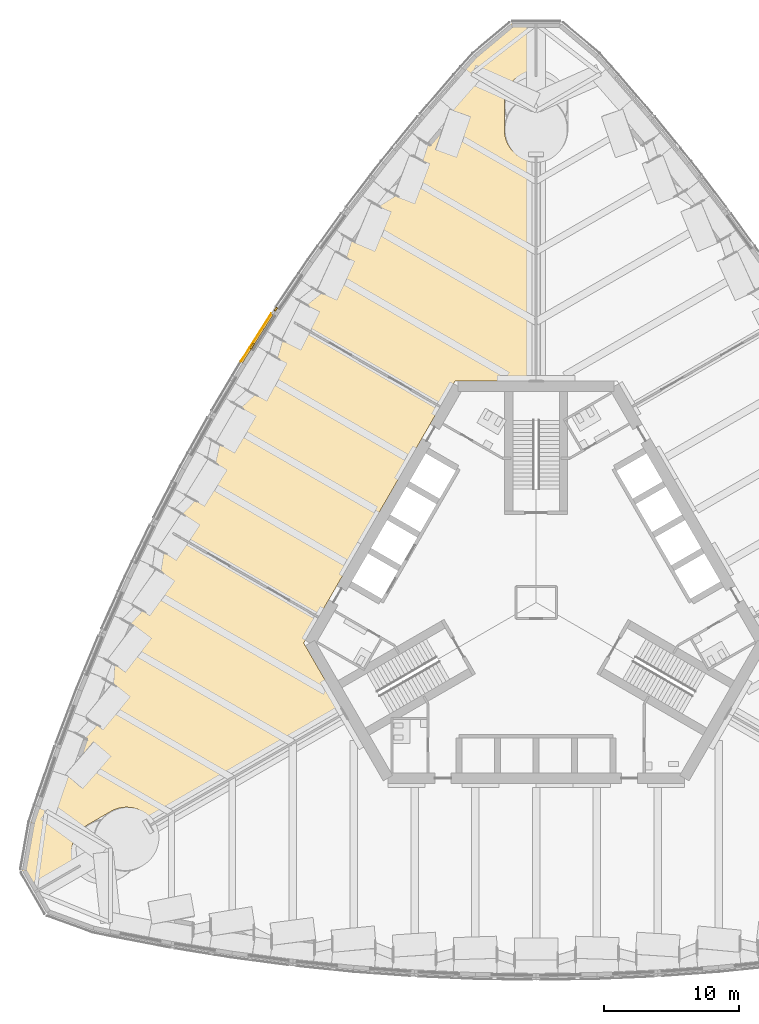
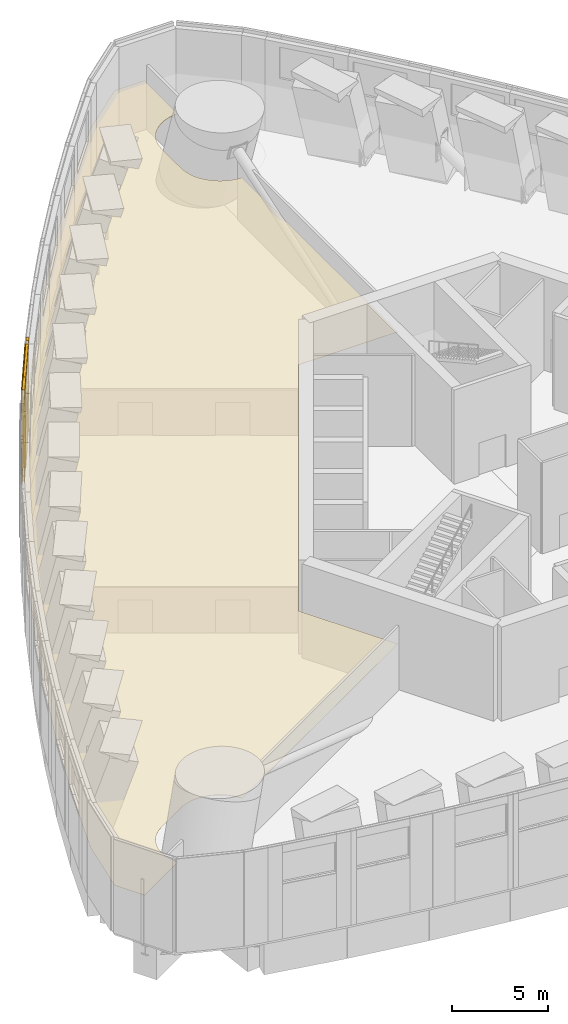
# One storey, part 20 of 28: 10 coverings.
"""IFC4 building model written with IfcOpenShell, lengths in metres."""

from ifc_helpers import new_model, si_unit, direction, frame, origin, origin_2d, place, context, subcontext, project, spatial, polyline, rectangle, outline, extrude, material, layer, layer_set, type_object, element, save


model = new_model("IFC4")

# Units and contexts
model_context = context("Model", 3, precision=1e-05, world=origin(), true_north=direction((0.0, 1.0)))
body_context = subcontext(model_context, "Body", "Model", "MODEL_VIEW")
ifc_project = project(units=[si_unit("LENGTHUNIT", "METRE"), si_unit("AREAUNIT", "SQUARE_METRE"), si_unit("VOLUMEUNIT", "CUBIC_METRE"), si_unit("PLANEANGLEUNIT", "RADIAN"), si_unit("MASSUNIT", "GRAM", prefix="KILO")], contexts=[model_context])

# Site, building, storey
site_placement = place(None, origin())
site = spatial("IfcSite", under=ifc_project, at=site_placement, CompositionType="ELEMENT")
building_placement = place(site_placement, origin())
building = spatial("IfcBuilding", under=site, at=building_placement, Name="Trefoil Bronze Tower", CompositionType="ELEMENT")
storey_placement = place(building_placement, frame((0.0, 0.0, 92.10009765625)))
storey = spatial("IfcBuildingStorey", under=building, at=storey_placement, Name="L21", CompositionType="ELEMENT", Elevation=92.10009765625)

# Coverings
ifc_material_1 = material(Name="Bronze-finish aluminium rainscreen panel on aluminium rails", Category="aluminium")
ifc_layer_1 = layer(ifc_material_1, 0.0400390625)
ifc_layer_set_1 = layer_set([ifc_layer_1], Name="Bronze cladding panel 40")
covering_type_1 = type_object("IfcCoveringType", Name="Bronze cladding panel 40", PredefinedType="CLADDING", material=ifc_layer_set_1)
covering_1_placement = place(storey_placement, frame((-21.541015625, 18.343505859375, 0.0), z_axis=(0.0, 0.0, 1.0), x_axis=(-0.537222392469, -0.843440632783, 0.0)))
element("IfcCovering", 1, at=covering_1_placement, inside=storey, type_object=covering_type_1, Name="Cladding panel L21 Face 3.7 piece 2", PredefinedType="CLADDING", context=body_context, shape_type="SweptSolid", body=[
    extrude(rectangle(XDim=1.204345703125, YDim=0.0400390625, at=origin_2d()), origin(), (0.0, 0.0, 1.0), 6.0),
])
covering_2_placement = place(storey_placement, frame((-20.41162109375, 20.11669921875, 0.0), z_axis=(0.0, 0.0, 1.0), x_axis=(-0.537222392469, -0.843440632783, 0.0)))
element("IfcCovering", 2, at=covering_2_placement, inside=storey, type_object=covering_type_1, Name="Cladding panel L21 Face 3.7 piece 3", PredefinedType="CLADDING", context=body_context, shape_type="SweptSolid", body=[
    extrude(rectangle(XDim=3.0, YDim=0.0400390625, at=origin_2d()), origin(), (0.0, 0.0, 1.0), 3.5),
])
covering_3_placement = place(storey_placement, frame((-20.41162109375, 20.11669921875, 5.5), z_axis=(0.0, 0.0, 1.0), x_axis=(-0.537222392469, -0.843440632783, 0.0)))
element("IfcCovering", 3, at=covering_3_placement, inside=storey, type_object=covering_type_1, Name="Cladding panel L21 Face 3.7 piece 4", PredefinedType="CLADDING", context=body_context, shape_type="SweptSolid", body=[
    extrude(rectangle(XDim=3.0, YDim=0.0400390625, at=origin_2d()), origin(), (0.0, 0.0, 1.0), 0.5),
])
ifc_material_2 = material(Name="Acoustic ceiling panels", Category="mineral fibre")
ifc_layer_2 = layer(ifc_material_2, 0.02001953125)
ifc_layer_set_2 = layer_set([ifc_layer_2], Name="Office ceiling 20")
covering_type_2 = type_object("IfcCoveringType", Name="Office ceiling 20", PredefinedType="CEILING", material=ifc_layer_set_2)
covering_4_placement = place(storey_placement, frame((0.0, 0.0, 2.89990234375)))
element("IfcCovering", 4, at=covering_4_placement, inside=storey, type_object=covering_type_2, Name="Ceiling L21 Electrical plant room F3", PredefinedType="CEILING", context=body_context, shape_type="SweptSolid", body=[
    extrude(outline(polyline([(-36.9814453125, -15.021728515625), (-35.47998046875, -10.6923828125), (-33.860107421875, -6.431640625), (-32.123291015625, -2.23828125), (-30.271240234375, 1.888671875), (-28.3046875, 5.949462890625), (-26.224609375, 9.944580078125), (-24.031005859375, 13.87451171875), (-21.724609375, 17.73876953125), (-19.3046875, 21.537841796875), (-16.771240234375, 25.271484375), (-14.123291015625, 28.938720703125), (-11.360107421875, 32.53955078125), (-8.47998046875, 36.072998046875), (-5.4814453125, 39.537841796875), (-4.618896484375, 40.497314453125), (-1.82421875, 42.84228515625), (-0.01611328125, 42.84228515625), (-0.014892578125, 39.349609375), (-0.115234375, 39.34716796875), (-0.230224609375, 39.338623046875), (-0.3447265625, 39.32470703125), (-0.45849609375, 39.3046875), (-0.571044921875, 39.279541015625), (-0.68212890625, 39.248779296875), (-0.791748046875, 39.212646484375), (-0.8994140625, 39.171142578125), (-1.0048828125, 39.12451171875), (-1.10791015625, 39.072509765625), (-1.2080078125, 39.015625), (-1.3056640625, 38.9541015625), (-1.39990234375, 38.887451171875), (-1.49072265625, 38.816650390625), (-1.578125, 38.7412109375), (-1.66162109375, 38.66162109375), (-1.7412109375, 38.578125), (-1.816650390625, 38.49072265625), (-1.887451171875, 38.39990234375), (-1.9541015625, 38.3056640625), (-2.015625, 38.2080078125), (-2.072509765625, 38.10791015625), (-2.12451171875, 38.0048828125), (-2.171142578125, 37.8994140625), (-2.212646484375, 37.791748046875), (-2.248779296875, 37.68212890625), (-2.279541015625, 37.571044921875), (-2.3046875, 37.45849609375), (-2.32470703125, 37.3447265625), (-2.338623046875, 37.230224609375), (-2.34716796875, 37.115234375), (-2.35009765625, 37.0), (-2.35009765625, 35.0), (-2.34716796875, 34.884765625), (-2.338623046875, 34.769775390625), (-2.32470703125, 34.6552734375), (-2.3046875, 34.54150390625), (-2.279541015625, 34.428955078125), (-2.248779296875, 34.31787109375), (-2.212646484375, 34.208251953125), (-2.171142578125, 34.1005859375), (-2.12451171875, 33.9951171875), (-2.072509765625, 33.89208984375), (-2.015625, 33.7919921875), (-1.9541015625, 33.6943359375), (-1.887451171875, 33.60009765625), (-1.816650390625, 33.50927734375), (-1.7412109375, 33.421875), (-1.66162109375, 33.33837890625), (-1.578125, 33.2587890625), (-1.49072265625, 33.183349609375), (-1.39990234375, 33.112548828125), (-1.3056640625, 33.0458984375), (-1.2080078125, 32.984375), (-1.10791015625, 32.927490234375), (-1.0048828125, 32.87548828125), (-0.8994140625, 32.828857421875), (-0.791748046875, 32.787353515625), (-0.68212890625, 32.751220703125), (-0.571044921875, 32.720458984375), (-0.45849609375, 32.6953125), (-0.3447265625, 32.67529296875), (-0.230224609375, 32.661376953125), (-0.115234375, 32.65283203125), (-0.01220703125, 32.650390625), (-0.006103515625, 16.39990234375), (-6.00439453125, 16.39990234375), (-17.205078125, -3.0), (-14.205810546875, -8.194580078125), (-28.2822265625, -16.314697265625), (-28.295166015625, -16.2919921875), (-28.35693359375, -16.1943359375), (-28.42333984375, -16.10009765625), (-28.494384765625, -16.00927734375), (-28.569580078125, -15.921875), (-28.649169921875, -15.83837890625), (-28.732666015625, -15.7587890625), (-28.820068359375, -15.683349609375), (-28.910888671875, -15.612548828125), (-29.00537109375, -15.5458984375), (-29.102783203125, -15.484375), (-29.203125, -15.427490234375), (-29.30615234375, -15.37548828125), (-29.41162109375, -15.328857421875), (-29.519287109375, -15.287353515625), (-29.628662109375, -15.251220703125), (-29.739990234375, -15.220458984375), (-29.852294921875, -15.1953125), (-29.966064453125, -15.17529296875), (-30.08056640625, -15.161376953125), (-30.195556640625, -15.15283203125), (-30.310791015625, -15.14990234375), (-30.42626953125, -15.15283203125), (-30.541259765625, -15.161376953125), (-30.65576171875, -15.17529296875), (-30.769287109375, -15.1953125), (-30.8818359375, -15.220458984375), (-30.9931640625, -15.251220703125), (-31.1025390625, -15.287353515625), (-31.210205078125, -15.328857421875), (-31.315673828125, -15.37548828125), (-31.418701171875, -15.427490234375), (-31.51904296875, -15.484375), (-33.251220703125, -16.484375), (-33.348388671875, -16.5458984375), (-33.44287109375, -16.612548828125), (-33.53369140625, -16.683349609375), (-33.62109375, -16.7587890625), (-33.70458984375, -16.83837890625), (-33.7841796875, -16.921875), (-33.859619140625, -17.00927734375), (-33.930419921875, -17.10009765625), (-33.996826171875, -17.1943359375), (-34.05859375, -17.2919921875), (-34.115478515625, -17.39208984375), (-34.167236328125, -17.4951171875), (-34.214111328125, -17.6005859375), (-34.255615234375, -17.708251953125), (-34.291748046875, -17.81787109375), (-34.322509765625, -17.928955078125), (-34.347900390625, -18.04150390625), (-34.367431640625, -18.1552734375), (-34.381591796875, -18.269775390625), (-34.39013671875, -18.384765625), (-34.392822265625, -18.5), (-34.39013671875, -18.615234375), (-34.381591796875, -18.730224609375), (-34.367431640625, -18.8447265625), (-34.347900390625, -18.95849609375), (-34.322509765625, -19.071044921875), (-34.291748046875, -19.18212890625), (-34.255615234375, -19.291748046875), (-34.214111328125, -19.3994140625), (-34.167236328125, -19.5048828125), (-34.115478515625, -19.60791015625), (-34.084716796875, -19.661865234375), (-37.110595703125, -21.4072265625), (-38.0146484375, -19.841552734375), (-37.381103515625, -16.248779296875), (-36.9814453125, -15.021728515625)])), origin(), (0.0, 0.0, 1.0), 0.02001953125),
])
ifc_material_3 = material(Name="Non-combustible mineral wool slab", Category="insulation")
ifc_layer_3 = layer(ifc_material_3, 0.14990234375)
ifc_layer_set_3 = layer_set([ifc_layer_3], Name="Rainscreen insulation 150")
covering_type_3 = type_object("IfcCoveringType", Name="Rainscreen insulation 150", PredefinedType="INSULATION", material=ifc_layer_set_3)
covering_5_placement = place(storey_placement, frame((-19.27685546875, 21.71337890625, 0.10498046875), z_axis=(0.0, 0.0, 1.0), x_axis=(-0.561509680683, -0.82747016774, 0.0)))
element("IfcCovering", 5, at=covering_5_placement, inside=storey, type_object=covering_type_3, Name="Insulation L21 Face 3.6 piece 2", PredefinedType="INSULATION", context=body_context, shape_type="SweptSolid", body=[
    extrude(rectangle(XDim=0.300048828125, YDim=0.14990234375, at=origin_2d()), origin(), (0.0, 0.0, 1.0), 5.89501953125),
])
covering_6_placement = place(storey_placement, frame((-21.4609375, 18.29248046875, 0.15478515625), z_axis=(0.0, 0.0, 1.0), x_axis=(-0.537222392469, -0.843440632783, 0.0)))
element("IfcCovering", 6, at=covering_6_placement, inside=storey, type_object=covering_type_3, Name="Insulation L21 Face 3.7 piece 2", PredefinedType="INSULATION", context=body_context, shape_type="SweptSolid", body=[
    extrude(rectangle(XDim=1.204345703125, YDim=0.14990234375, at=origin_2d()), origin(), (0.0, 0.0, 1.0), 5.844970703125),
])
covering_7_placement = place(storey_placement, frame((-19.865478515625, 20.79736328125, 0.244873046875), z_axis=(0.0, 0.0, 1.0), x_axis=(-0.537222392469, -0.843440632783, 0.0)))
element("IfcCovering", 7, at=covering_7_placement, inside=storey, type_object=covering_type_3, Name="Insulation L21 Face 3.7 piece 3", PredefinedType="INSULATION", context=body_context, shape_type="SweptSolid", body=[
    extrude(rectangle(XDim=1.264892578125, YDim=0.14990234375, at=origin_2d()), origin(), (0.0, 0.0, 1.0), 3.2548828125),
])
covering_8_placement = place(storey_placement, frame((-20.55712890625, 19.71142578125, 0.0), z_axis=(0.0, 0.0, 1.0), x_axis=(-0.537222392469, -0.843440632783, 0.0)))
element("IfcCovering", 8, at=covering_8_placement, inside=storey, type_object=covering_type_3, Name="Insulation L21 Face 3.7 piece 3 part 2", PredefinedType="INSULATION", context=body_context, shape_type="SweptSolid", body=[
    extrude(rectangle(XDim=1.31005859375, YDim=0.14990234375, at=origin_2d()), origin(), (0.0, 0.0, 1.0), 3.5),
])
covering_9_placement = place(storey_placement, frame((-21.023193359375, 18.979736328125, 0.1748046875), z_axis=(0.0, 0.0, 1.0), x_axis=(-0.537222392469, -0.843440632783, 0.0)))
element("IfcCovering", 9, at=covering_9_placement, inside=storey, type_object=covering_type_3, Name="Insulation L21 Face 3.7 piece 3 part 3", PredefinedType="INSULATION", context=body_context, shape_type="SweptSolid", body=[
    extrude(rectangle(XDim=0.425048828125, YDim=0.14990234375, at=origin_2d()), origin(), (0.0, 0.0, 1.0), 3.324951171875),
])
covering_10_placement = place(storey_placement, frame((-20.33154296875, 20.065673828125, 5.5), z_axis=(0.0, 0.0, 1.0), x_axis=(-0.537222392469, -0.843440632783, 0.0)))
element("IfcCovering", 10, at=covering_10_placement, inside=storey, type_object=covering_type_3, Name="Insulation L21 Face 3.7 piece 4", PredefinedType="INSULATION", context=body_context, shape_type="SweptSolid", body=[
    extrude(rectangle(XDim=3.0, YDim=0.14990234375, at=origin_2d()), origin(), (0.0, 0.0, 1.0), 0.5),
])

save(model, "model.ifc")
